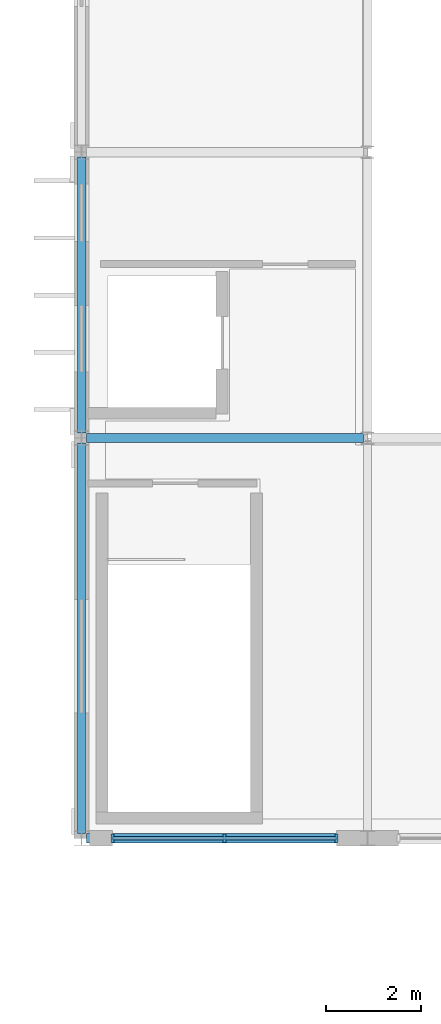
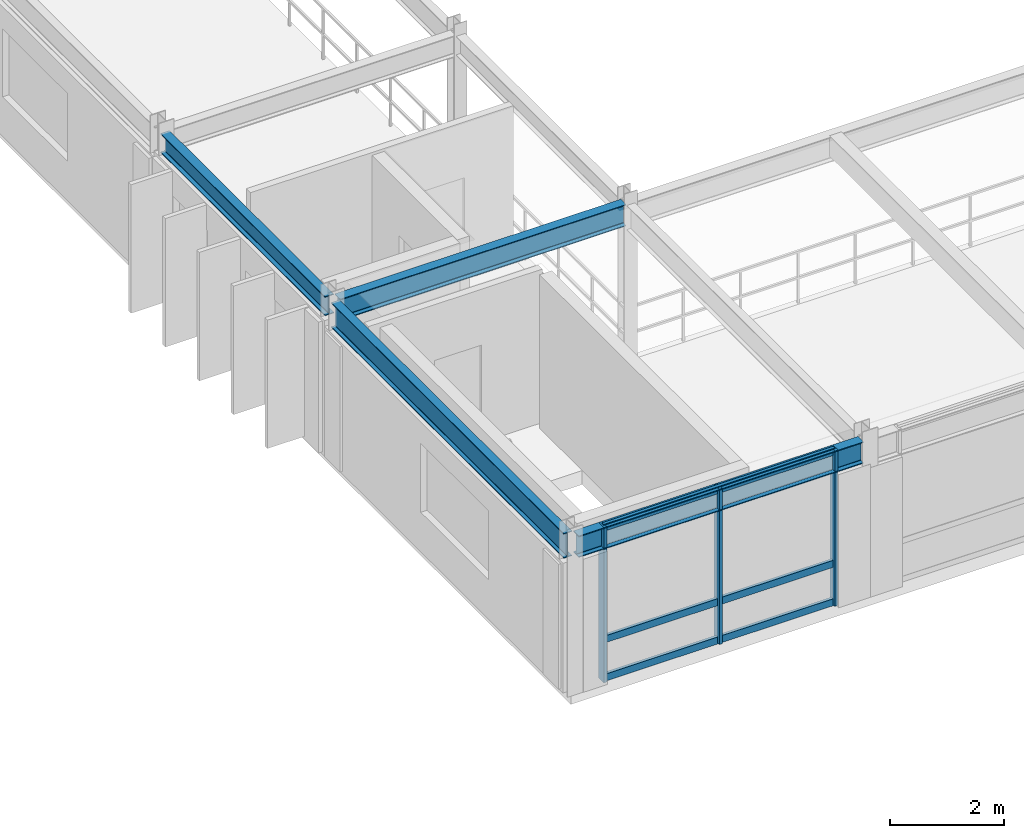
# One storey, part 18 of 88: 6 members, 4 beams, 1 element without a shape of its own.
"""IFC4 building model written with IfcOpenShell, lengths in metres."""

from ifc_helpers import new_model, si_unit, direction, frame, origin, origin_2d, place, context, subcontext, project, spatial, rectangle, i_section, extrude, material, material_profile, profile_set, type_object, element, aggregate, save


model = new_model("IFC4")

# Units and contexts
model_context = context("Model", 3, precision=1e-05, world=origin(), true_north=direction((0.0, 1.0)))
body_context = subcontext(model_context, "Body", "Model", "MODEL_VIEW")
ifc_project = project(units=[si_unit("LENGTHUNIT", "METRE"), si_unit("AREAUNIT", "SQUARE_METRE"), si_unit("VOLUMEUNIT", "CUBIC_METRE"), si_unit("PLANEANGLEUNIT", "RADIAN"), si_unit("MASSUNIT", "GRAM", prefix="KILO"), si_unit("THERMODYNAMICTEMPERATUREUNIT", "KELVIN")], contexts=[model_context])

# Site, building, storey
site_placement = place(None, origin())
site = spatial("IfcSite", under=ifc_project, at=site_placement, CompositionType="ELEMENT")
building_placement = place(site_placement, origin())
building = spatial("IfcBuilding", under=site, at=building_placement, Name="Thalorik Housing Commons", CompositionType="ELEMENT")
storey_placement = place(building_placement, frame((0.0, 0.0, 4.5)))
storey = spatial("IfcBuildingStorey", under=building, at=storey_placement, Name="L01", CompositionType="ELEMENT", Elevation=4.5)

# Curtain wall, members
ifc_material_1 = material(Name="Anodised aluminium and solar-control low-E glass", Category="aluminium")
curtain_wall_type = type_object("IfcCurtainWallType", Name="ARC-CW-CIVIC", PredefinedType="USERDEFINED", material=ifc_material_1)
curtain_wall_placement = place(storey_placement, origin())
curtain_wall = element("IfcCurtainWall", 1, at=curtain_wall_placement, inside=storey, type_object=curtain_wall_type, Name="L01 Curtain Wall CW-HALL-L01-213", ObjectType="CURTAIN WALL", PredefinedType="USERDEFINED")
ifc_material_2 = material(Name="Anodised aluminium 6063-T6", Category="aluminium")
ifc_material_profile_1 = material_profile(ifc_material_2, rectangle(XDim=0.06494140625, YDim=0.179931640625, at=origin_2d()), Name="ALU MUL 65x180", Category="aluminium")
ifc_profile_set_1 = profile_set([ifc_material_profile_1], Name="Anodised aluminium 6063-T6")
member_type_1 = type_object("IfcMemberType", Name="ARC-CW-MUL-65x180", PredefinedType="MULLION", material=ifc_profile_set_1)
member_1_placement = place(storey_placement, frame((66.64990234375, 57.60009765625, 0.0), z_axis=(0.0, 0.0, 1.0), x_axis=(1.0, 0.0, 0.0)))
member_1 = element("IfcMember", 2, at=member_1_placement, type_object=member_type_1, Name="CW-HALL-L01-213 Mullion 1", PredefinedType="MULLION", context=body_context, shape_type="SweptSolid", body=[
    extrude(rectangle(XDim=0.06494140625, YDim=0.179931640625, at=origin_2d()), origin(), (0.0, 0.0, 1.0), 3.340087890625),
])
member_2_placement = place(storey_placement, frame((69.0, 57.60009765625, 0.0), z_axis=(0.0, 0.0, 1.0), x_axis=(1.0, 0.0, 0.0)))
member_2 = element("IfcMember", 3, at=member_2_placement, type_object=member_type_1, Name="CW-HALL-L01-213 Mullion 2", PredefinedType="MULLION", context=body_context, shape_type="SweptSolid", body=[
    extrude(rectangle(XDim=0.06494140625, YDim=0.179931640625, at=origin_2d()), origin(), (0.0, 0.0, 1.0), 3.340087890625),
])
member_3_placement = place(storey_placement, frame((71.35009765625, 57.60009765625, 0.0), z_axis=(0.0, 0.0, 1.0), x_axis=(1.0, 0.0, 0.0)))
member_3 = element("IfcMember", 4, at=member_3_placement, type_object=member_type_1, Name="CW-HALL-L01-213 Mullion 3", PredefinedType="MULLION", context=body_context, shape_type="SweptSolid", body=[
    extrude(rectangle(XDim=0.06494140625, YDim=0.179931640625, at=origin_2d()), origin(), (0.0, 0.0, 1.0), 3.340087890625),
])
ifc_material_profile_2 = material_profile(ifc_material_2, rectangle(XDim=0.06494140625, YDim=0.14990234375, at=origin_2d()), Name="ALU TRN 65x150", Category="aluminium")
ifc_profile_set_2 = profile_set([ifc_material_profile_2], Name="Anodised aluminium 6063-T6")
member_type_2 = type_object("IfcMemberType", Name="ARC-CW-TRN-65x150", PredefinedType="USERDEFINED", material=ifc_profile_set_2)
member_4_placement = place(storey_placement, frame((66.64990234375, 57.60009765625, 0.054931640625), z_axis=(1.0, 0.0, 0.0), x_axis=(0.0, 1.0, 0.0)))
member_4 = element("IfcMember", 5, at=member_4_placement, type_object=member_type_2, Name="CW-HALL-L01-213 Transom 1", ObjectType="TRANSOM", PredefinedType="USERDEFINED", context=body_context, shape_type="SweptSolid", body=[
    extrude(rectangle(XDim=0.06494140625, YDim=0.14990234375, at=origin_2d()), origin(), (0.0, 0.0, 1.0), 4.7001953125),
])
member_5_placement = place(storey_placement, frame((66.64990234375, 57.60009765625, 0.8798828125), z_axis=(1.0, 0.0, 0.0), x_axis=(0.0, 1.0, 0.0)))
member_5 = element("IfcMember", 6, at=member_5_placement, type_object=member_type_2, Name="CW-HALL-L01-213 Transom 2", ObjectType="TRANSOM", PredefinedType="USERDEFINED", context=body_context, shape_type="SweptSolid", body=[
    extrude(rectangle(XDim=0.06494140625, YDim=0.14990234375, at=origin_2d()), origin(), (0.0, 0.0, 1.0), 4.7001953125),
])
member_6_placement = place(storey_placement, frame((66.64990234375, 57.60009765625, 3.284912109375), z_axis=(1.0, 0.0, 0.0), x_axis=(0.0, 1.0, 0.0)))
member_6 = element("IfcMember", 7, at=member_6_placement, type_object=member_type_2, Name="CW-HALL-L01-213 Transom 3", ObjectType="TRANSOM", PredefinedType="USERDEFINED", context=body_context, shape_type="SweptSolid", body=[
    extrude(rectangle(XDim=0.06494140625, YDim=0.14990234375, at=origin_2d()), origin(), (0.0, 0.0, 1.0), 4.7001953125),
])
aggregate(curtain_wall, [member_1, member_2, member_3, member_4, member_5, member_6])

# Beams
ifc_material_3 = material(Name="Steel S355", Category="steel")
ifc_material_profile_3 = material_profile(ifc_material_3, i_section(OverallWidth=0.179931640625, OverallDepth=0.4130859375, WebThickness=0.009765625, FlangeThickness=0.01611328125, FilletRadius=0.010986328125, at=origin_2d()), Name="W410x75", Category="steel")
ifc_profile_set_3 = profile_set([ifc_material_profile_3], Name="Steel S355")
beam_type_1 = type_object("IfcBeamType", Name="STR-BM-W410x75", PredefinedType="BEAM", material=ifc_profile_set_3)
beam_1_placement = place(storey_placement, frame((66.0, 66.10400390625, 3.133544921875), z_axis=(0.0, 1.0, 0.0), x_axis=(-1.0, 0.0, 0.0)))
element("IfcBeam", 8, at=beam_1_placement, inside=storey, type_object=beam_type_1, Name="L01 Beam SB-410", PredefinedType="BEAM", context=body_context, shape_type="SweptSolid", body=[
    extrude(i_section(OverallWidth=0.179931640625, OverallDepth=0.4130859375, WebThickness=0.009765625, FlangeThickness=0.01611328125, FilletRadius=0.010986328125, at=origin_2d()), origin(), (0.0, 0.0, 1.0), 5.7919921875),
])
ifc_material_profile_4 = material_profile(ifc_material_3, i_section(OverallWidth=0.19189453125, OverallDepth=0.462890625, WebThickness=0.010498046875, FlangeThickness=0.017578125, FilletRadius=0.011962890625, at=origin_2d()), Name="W460x89", Category="steel")
ifc_profile_set_4 = profile_set([ifc_material_profile_4], Name="Steel S355")
beam_type_2 = type_object("IfcBeamType", Name="STR-BM-W460x89", PredefinedType="BEAM", material=ifc_profile_set_4)
beam_2_placement = place(storey_placement, frame((66.10498046875, 57.60009765625, 3.1083984375), z_axis=(1.0, 0.0, 0.0), x_axis=(0.0, 1.0, 0.0)))
element("IfcBeam", 9, at=beam_2_placement, inside=storey, type_object=beam_type_2, Name="L01 Beam SB-460", PredefinedType="BEAM", context=body_context, shape_type="SweptSolid", body=[
    extrude(i_section(OverallWidth=0.19189453125, OverallDepth=0.462890625, WebThickness=0.010498046875, FlangeThickness=0.017578125, FilletRadius=0.011962890625, at=origin_2d()), origin(), (0.0, 0.0, 1.0), 5.7900390625),
])
beam_3_placement = place(storey_placement, frame((66.10498046875, 66.0, 3.1083984375), z_axis=(1.0, 0.0, 0.0), x_axis=(0.0, 1.0, 0.0)))
element("IfcBeam", 10, at=beam_3_placement, inside=storey, type_object=beam_type_2, Name="L01 Beam SB-460", PredefinedType="BEAM", context=body_context, shape_type="SweptSolid", body=[
    extrude(i_section(OverallWidth=0.19189453125, OverallDepth=0.462890625, WebThickness=0.010498046875, FlangeThickness=0.017578125, FilletRadius=0.011962890625, at=origin_2d()), origin(), (0.0, 0.0, 1.0), 5.81494140625),
])
ifc_material_profile_5 = material_profile(ifc_material_3, i_section(OverallWidth=0.166015625, OverallDepth=0.534912109375, WebThickness=0.01025390625, FlangeThickness=0.0166015625, FilletRadius=0.012939453125, at=origin_2d()), Name="W530x85", Category="steel")
ifc_profile_set_5 = profile_set([ifc_material_profile_5], Name="Steel S355")
beam_type_3 = type_object("IfcBeamType", Name="STR-BM-W530x85", PredefinedType="BEAM", material=ifc_profile_set_5)
beam_4_placement = place(storey_placement, frame((66.0, 57.7041015625, 3.072509765625), z_axis=(0.0, 1.0, 0.0), x_axis=(-1.0, 0.0, 0.0)))
element("IfcBeam", 11, at=beam_4_placement, inside=storey, type_object=beam_type_3, Name="L01 Beam SB-535", PredefinedType="BEAM", context=body_context, shape_type="SweptSolid", body=[
    extrude(i_section(OverallWidth=0.166015625, OverallDepth=0.534912109375, WebThickness=0.01025390625, FlangeThickness=0.0166015625, FilletRadius=0.012939453125, at=origin_2d()), origin(), (0.0, 0.0, 1.0), 8.19189453125),
])

save(model, "model.ifc")
